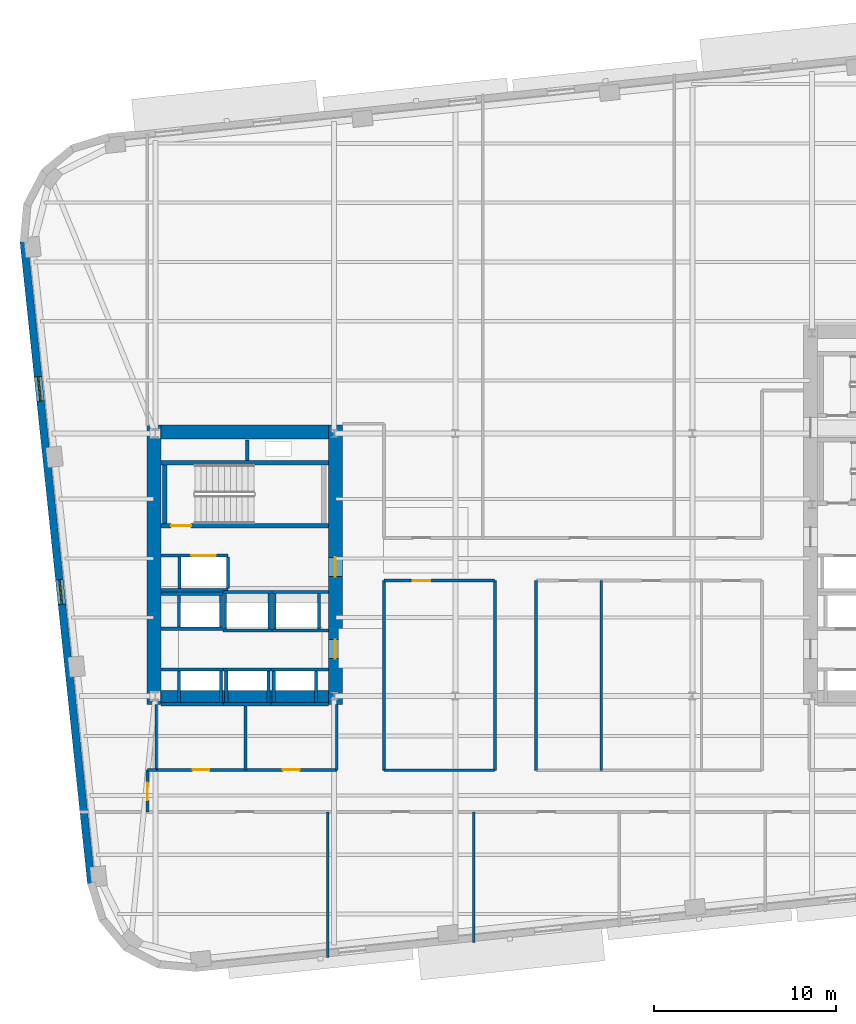
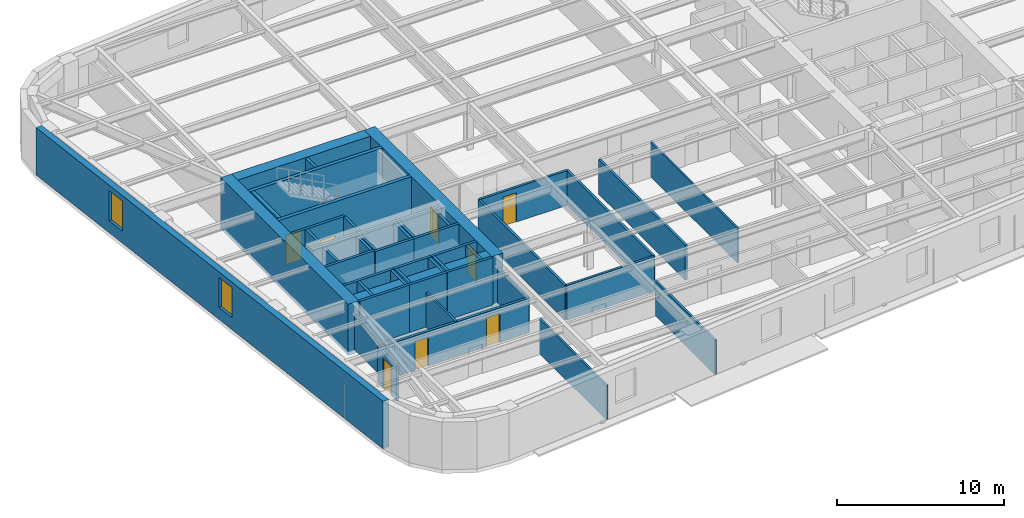
# One storey, part 4 of 11: 51 walls, 8 doors, 2 windows, 10 openings.
"""IFC4 building model written with IfcOpenShell, lengths in metres."""

from ifc_helpers import new_model, si_unit, direction, frame, frame_2d, origin, place, context, subcontext, project, spatial, rectangle, extrude, material, layer, layer_set, type_object, element, fill, save


model = new_model("IFC4")

# Units and contexts
model_context = context("Model", 3, precision=1e-05, world=origin(), true_north=direction((0.0, 1.0)))
body_context = subcontext(model_context, "Body", "Model", "MODEL_VIEW")
ifc_project = project(units=[si_unit("LENGTHUNIT", "METRE"), si_unit("AREAUNIT", "SQUARE_METRE"), si_unit("VOLUMEUNIT", "CUBIC_METRE"), si_unit("PLANEANGLEUNIT", "RADIAN"), si_unit("MASSUNIT", "GRAM", prefix="KILO")], contexts=[model_context])

# Site, building, storey
site_placement = place(None, origin())
site = spatial("IfcSite", under=ifc_project, at=site_placement, CompositionType="ELEMENT")
building_placement = place(site_placement, origin())
building = spatial("IfcBuilding", under=site, at=building_placement, Name="Kolvaren Arena Tower", CompositionType="ELEMENT")
storey_placement = place(building_placement, frame((0.0, 0.0, 103.449951171875)))
storey = spatial("IfcBuildingStorey", under=building, at=storey_placement, Name="L23", CompositionType="ELEMENT", Elevation=103.449951171875)

# Wall, opening, door
ifc_material_1 = material(Name="Gypsum board acoustic assembly", Category="gypsum")
ifc_layer_1 = layer(ifc_material_1, 0.159912109375)
ifc_layer_set_1 = layer_set([ifc_layer_1], Name="Gypsum board acoustic assembly")
wall_type_1 = type_object("IfcWallType", Name="CORR-160", PredefinedType="PARTITIONING", material=ifc_layer_set_1)
wall_1_placement = place(storey_placement, frame((27.10009765625, 25.780029296875, 0.0), z_axis=(0.0, 0.0, 1.0), x_axis=(1.0, 0.0, 0.0)))
wall_1 = element("IfcWall", 1, at=wall_1_placement, inside=storey, type_object=wall_type_1, Name="Interior Partition Wall (L23)", PredefinedType="PARTITIONING", context=body_context, shape_type="SweptSolid", body=[
    extrude(rectangle(XDim=6.059814453125, YDim=0.159912109375, at=frame_2d((3.02978515625, 0.0))), origin(), (0.0, 0.0, 1.0), 2.5400390625),
])
opening_1_placement = place(wall_1_placement, frame((1.574951171875, 0.0, 0.0)))
opening_1 = element("IfcOpeningElement", 2, at=opening_1_placement, cuts=wall_1, Name="Opening D05", PredefinedType="OPENING", context=body_context, shape_type="SweptSolid", body=[
    extrude(rectangle(XDim=0.949951171875, YDim=2.14990234375, at=frame_2d((0.47509765625, 1.074951171875))), frame((0.0, 0.08984375, 0.0), z_axis=(0.0, -1.0, 0.0), x_axis=(1.0, 0.0, 0.0)), (0.0, 0.0, 1.0), 0.179931640625),
])
ifc_material_2 = material(Name="Solid-core oak acoustic office door", Category="wood")
door_type_1 = type_object("IfcDoorType", Name="DOOR-OF-095", OperationType="NOTDEFINED", PredefinedType="DOOR", material=ifc_material_2)
door_1_placement = place(opening_1_placement, origin())
door_1 = element("IfcDoor", 3, at=door_1_placement, inside=storey, type_object=door_type_1, Name="Boardroom Door (L23)", OperationType="SINGLE_SWING_RIGHT", OverallHeight=2.14990234375, OverallWidth=0.949951171875, PredefinedType="DOOR", context=body_context, shape_type="SweptSolid", body=[
    extrude(rectangle(XDim=0.949951171875, YDim=2.14990234375, at=frame_2d((0.47509765625, 1.074951171875))), frame((0.0, 0.02490234375, 0.0), z_axis=(0.0, -1.0, 0.0), x_axis=(1.0, 0.0, 0.0)), (0.0, 0.0, 1.0), 0.050048828125),
])
fill(opening_1, door_1)

# Walls
wall_2_placement = place(storey_placement, frame((27.10009765625, 15.3798828125, 0.0), z_axis=(0.0, 0.0, 1.0), x_axis=(1.0, 0.0, 0.0)))
element("IfcWall", 4, at=wall_2_placement, inside=storey, type_object=wall_type_1, Name="Interior Partition Wall (L23)", PredefinedType="PARTITIONING", context=body_context, shape_type="SweptSolid", body=[
    extrude(rectangle(XDim=6.059814453125, YDim=0.159912109375, at=frame_2d((3.02978515625, 0.0))), origin(), (0.0, 0.0, 1.0), 2.5400390625),
])
for number, where, z_axis, x_axis, name in (
    (5, (33.179931640625, 15.3798828125, 0.0), (0.0, 0.0, 1.0), (0.0, 1.0, 0.0), "Interior Partition Wall (L23)"),
    (6, (35.419921875, 15.3798828125, 0.0), (0.0, 0.0, 1.0), (0.0, 1.0, 0.0), "Interior Partition Wall (L23)"),
    (7, (27.080078125, 15.3798828125, 0.0), (0.0, 0.0, 1.0), (0.0, 1.0, 0.0), "Interior Partition Wall (L23)"),
):
    element("IfcWall", number, at=place(storey_placement, frame(where, z_axis=z_axis, x_axis=x_axis)), inside=storey, type_object=wall_type_1, Name=name, PredefinedType="PARTITIONING", context=body_context, shape_type="SweptSolid", body=[
        extrude(rectangle(XDim=10.400146484375, YDim=0.159912109375, at=frame_2d((5.2001953125, 0.0))), origin(), (0.0, 0.0, 1.0), 2.5400390625),
    ])

# Wall, opening, door
wall_3_placement = place(storey_placement, frame((14.1201171875, 13.10009765625, 0.0), z_axis=(0.0, 0.0, 1.0), x_axis=(0.0, 1.0, 0.0)))
wall_3 = element("IfcWall", 8, at=wall_3_placement, inside=storey, type_object=wall_type_1, Name="Interior Partition Wall (L23)", PredefinedType="PARTITIONING", context=body_context, shape_type="SweptSolid", body=[
    extrude(rectangle(XDim=2.2998046875, YDim=0.159912109375, at=frame_2d((1.14990234375, 0.0))), origin(), (0.0, 0.0, 1.0), 2.5400390625),
])
opening_2_placement = place(wall_3_placement, frame((0.64990234375, 0.0, 0.0)))
opening_2 = element("IfcOpeningElement", 9, at=opening_2_placement, cuts=wall_3, Name="Opening D05", PredefinedType="OPENING", context=body_context, shape_type="SweptSolid", body=[
    extrude(rectangle(XDim=0.949951171875, YDim=2.14990234375, at=frame_2d((0.47509765625, 1.074951171875))), frame((0.0, 0.08984375, 0.0), z_axis=(0.0, -1.0, 0.0), x_axis=(1.0, 0.0, 0.0)), (0.0, 0.0, 1.0), 0.179931640625),
])
door_2_placement = place(opening_2_placement, origin())
door_2 = element("IfcDoor", 10, at=door_2_placement, inside=storey, type_object=door_type_1, Name="West Wing Office Door (L23)", OperationType="SINGLE_SWING_LEFT", OverallHeight=2.14990234375, OverallWidth=0.949951171875, PredefinedType="DOOR", context=body_context, shape_type="SweptSolid", body=[
    extrude(rectangle(XDim=0.949951171875, YDim=2.14990234375, at=frame_2d((0.47509765625, 1.074951171875))), frame((0.0, 0.02490234375, 0.0), z_axis=(0.0, -1.0, 0.0), x_axis=(1.0, 0.0, 0.0)), (0.0, 0.0, 1.0), 0.050048828125),
])
fill(opening_2, door_2)

# Walls
wall_4_placement = place(storey_placement, frame((14.1201171875, 15.39990234375, 0.0), z_axis=(0.0, 0.0, 1.0), x_axis=(1.0, 0.0, 0.0)))
element("IfcWall", 11, at=wall_4_placement, inside=storey, type_object=wall_type_1, Name="Interior Partition Wall (L23)", PredefinedType="PARTITIONING", context=body_context, shape_type="SweptSolid", body=[
    extrude(rectangle(XDim=0.5, YDim=0.159912109375, at=frame_2d((0.25, 0.0))), origin(), (0.0, 0.0, 1.0), 2.5400390625),
])
ifc_material_3 = material(Name="Concrete 70 MPa", Category="concrete")
ifc_layer_2 = layer(ifc_material_3, 0.75)
ifc_layer_set_2 = layer_set([ifc_layer_2], Name="Concrete 70 MPa")
wall_type_2 = type_object("IfcWallType", Name="CWALL-750", PredefinedType="SHEAR", material=ifc_layer_set_2)
wall_5_placement = place(storey_placement, frame((14.47509765625, 19.0, -0.27001953125), z_axis=(0.0, 0.0, 1.0), x_axis=(0.0, 1.0, 0.0)))
element("IfcWall", 12, at=wall_5_placement, inside=storey, type_object=wall_type_2, Name="Core Shear Wall WC-WEST (L23)", PredefinedType="SHEAR", context=body_context, shape_type="SweptSolid", body=[
    extrude(rectangle(XDim=15.300048828125, YDim=0.75, at=frame_2d((7.64990234375, 0.0))), origin(), (0.0, 0.0, 1.0), 3.75),
])

# Wall, openings, doors
wall_6_placement = place(storey_placement, frame((24.425048828125, 19.0, -0.27001953125), z_axis=(0.0, 0.0, 1.0), x_axis=(0.0, 1.0, 0.0)))
wall_6 = element("IfcWall", 13, at=wall_6_placement, inside=storey, type_object=wall_type_2, Name="Core Shear Wall WC-EAST (L23)", PredefinedType="SHEAR", context=body_context, shape_type="SweptSolid", body=[
    extrude(rectangle(XDim=15.300048828125, YDim=0.75, at=frame_2d((7.64990234375, 0.0))), origin(), (0.0, 0.0, 1.0), 3.75),
])
opening_3_placement = place(wall_6_placement, frame((2.5, 0.0, 0.27001953125)))
opening_3 = element("IfcOpeningElement", 14, at=opening_3_placement, cuts=wall_6, Name="Opening D04", PredefinedType="OPENING", context=body_context, shape_type="SweptSolid", body=[
    extrude(rectangle(XDim=1.050048828125, YDim=2.14990234375, at=frame_2d((0.52490234375, 1.074951171875))), frame((0.0, 0.385009765625, 0.0), z_axis=(0.0, -1.0, 0.0), x_axis=(1.0, 0.0, 0.0)), (0.0, 0.0, 1.0), 0.77001953125),
])
opening_4_placement = place(wall_6_placement, frame((7.0, 0.0, 0.27001953125)))
opening_4 = element("IfcOpeningElement", 15, at=opening_4_placement, cuts=wall_6, Name="Opening D04", PredefinedType="OPENING", context=body_context, shape_type="SweptSolid", body=[
    extrude(rectangle(XDim=1.050048828125, YDim=2.14990234375, at=frame_2d((0.52490234375, 1.074951171875))), frame((0.0, 0.385009765625, 0.0), z_axis=(0.0, -1.0, 0.0), x_axis=(1.0, 0.0, 0.0)), (0.0, 0.0, 1.0), 0.77001953125),
])
ifc_material_4 = material(Name="Fire-rated steel lobby door", Category="steel")
door_type_2 = type_object("IfcDoorType", Name="DOOR-FF-105", OperationType="NOTDEFINED", PredefinedType="DOOR", material=ifc_material_4)
door_3_placement = place(opening_3_placement, origin())
door_3 = element("IfcDoor", 16, at=door_3_placement, inside=storey, type_object=door_type_2, Name="West Lift Lobby Fire Door (L23)", OperationType="SINGLE_SWING_LEFT", OverallHeight=2.14990234375, OverallWidth=1.050048828125, PredefinedType="DOOR", context=body_context, shape_type="SweptSolid", body=[
    extrude(rectangle(XDim=1.050048828125, YDim=2.14990234375, at=frame_2d((0.52490234375, 1.074951171875))), frame((0.0, 0.02490234375, 0.0), z_axis=(0.0, -1.0, 0.0), x_axis=(1.0, 0.0, 0.0)), (0.0, 0.0, 1.0), 0.050048828125),
])
fill(opening_3, door_3)
door_4_placement = place(opening_4_placement, origin())
door_4 = element("IfcDoor", 17, at=door_4_placement, inside=storey, type_object=door_type_2, Name="West Firefighter Vestibule Door (L23)", OperationType="SINGLE_SWING_RIGHT", OverallHeight=2.14990234375, OverallWidth=1.050048828125, PredefinedType="DOOR", context=body_context, shape_type="SweptSolid", body=[
    extrude(rectangle(XDim=1.050048828125, YDim=2.14990234375, at=frame_2d((0.52490234375, 1.074951171875))), frame((0.0, 0.02490234375, 0.0), z_axis=(0.0, -1.0, 0.0), x_axis=(1.0, 0.0, 0.0)), (0.0, 0.0, 1.0), 0.050048828125),
])
fill(opening_4, door_4)

# Walls
for number, where, z_axis, x_axis, name in (
    (18, (14.85009765625, 19.375, -0.27001953125), (0.0, 0.0, 1.0), (1.0, 0.0, 0.0), "Core Shear Wall WC-SOUTH (L23)"),
    (19, (14.85009765625, 33.925048828125, -0.27001953125), (0.0, 0.0, 1.0), (1.0, 0.0, 0.0), "Core Shear Wall WC-NORTH (L23)"),
):
    element("IfcWall", number, at=place(storey_placement, frame(where, z_axis=z_axis, x_axis=x_axis)), inside=storey, type_object=wall_type_2, Name=name, PredefinedType="SHEAR", context=body_context, shape_type="SweptSolid", body=[
        extrude(rectangle(XDim=9.199951171875, YDim=0.75, at=frame_2d((4.60009765625, 0.0))), origin(), (0.0, 0.0, 1.0), 3.75),
    ])

# Wall, openings, windows
ifc_material_5 = material(Name="Precast concrete C50/60", Category="concrete")
ifc_layer_3 = layer(ifc_material_5, 0.419921875)
ifc_layer_set_3 = layer_set([ifc_layer_3], Name="Precast concrete C50/60")
wall_type_3 = type_object("IfcWallType", Name="EXT-PIER1", PredefinedType="SOLIDWALL", material=ifc_layer_set_3)
wall_7_placement = place(storey_placement, frame((11.039794921875, 9.16943359375, 0.0), z_axis=(0.0, 0.0, 1.0), x_axis=(-0.104532207177, 0.99452150186, 0.0)))
wall_7 = element("IfcWall", 20, at=wall_7_placement, inside=storey, type_object=wall_type_3, Name="Exterior Precast Masonry-Frame Wall (L23)", PredefinedType="SOLIDWALL", context=body_context, shape_type="SweptSolid", body=[
    extrude(rectangle(XDim=35.39990234375, YDim=0.419921875, at=frame_2d((17.699951171875, 0.0))), origin(), (0.0, 0.0, 1.0), 3.47998046875),
])
opening_5_placement = place(wall_7_placement, frame((15.39990234375, 0.0, 0.8798828125)))
opening_5 = element("IfcOpeningElement", 21, at=opening_5_placement, cuts=wall_7, Name="Opening W04", PredefinedType="OPENING", context=body_context, shape_type="SweptSolid", body=[
    extrude(rectangle(XDim=1.35009765625, YDim=2.199951171875, at=frame_2d((0.675048828125, 1.10009765625))), frame((0.0, 0.219970703125, 0.0), z_axis=(0.0, -1.0, 0.0), x_axis=(1.0, 0.0, 0.0)), (0.0, 0.0, 1.0), 0.43994140625),
])
opening_6_placement = place(wall_7_placement, frame((26.60009765625, 0.0, 0.8798828125)))
opening_6 = element("IfcOpeningElement", 22, at=opening_6_placement, cuts=wall_7, Name="Opening W04", PredefinedType="OPENING", context=body_context, shape_type="SweptSolid", body=[
    extrude(rectangle(XDim=1.35009765625, YDim=2.199951171875, at=frame_2d((0.675048828125, 1.10009765625))), frame((0.0, 0.219970703125, 0.0), z_axis=(0.0, -1.0, 0.0), x_axis=(1.0, 0.0, 0.0)), (0.0, 0.0, 1.0), 0.43994140625),
])
ifc_material_6 = material(Name="Triple-glazed curved-facet corner window", Category="glass")
window_type = type_object("IfcWindowType", Name="WIN-CRN-A", PartitioningType="SINGLE_PANEL", PredefinedType="WINDOW", material=ifc_material_6)
window_1_placement = place(opening_5_placement, origin())
window_1 = element("IfcWindow", 23, at=window_1_placement, inside=storey, type_object=window_type, Name="End-Wall Punched Window (L23)", OverallHeight=2.199951171875, OverallWidth=1.35009765625, PartitioningType="SINGLE_PANEL", PredefinedType="WINDOW", context=body_context, shape_type="SweptSolid", body=[
    extrude(rectangle(XDim=1.35009765625, YDim=2.199951171875, at=frame_2d((0.675048828125, 1.10009765625))), frame((0.0, 0.030029296875, 0.0), z_axis=(0.0, -1.0, 0.0), x_axis=(1.0, 0.0, 0.0)), (0.0, 0.0, 1.0), 0.06005859375),
])
fill(opening_5, window_1)
window_2_placement = place(opening_6_placement, origin())
window_2 = element("IfcWindow", 24, at=window_2_placement, inside=storey, type_object=window_type, Name="End-Wall Punched Window (L23)", OverallHeight=2.199951171875, OverallWidth=1.35009765625, PartitioningType="SINGLE_PANEL", PredefinedType="WINDOW", context=body_context, shape_type="SweptSolid", body=[
    extrude(rectangle(XDim=1.35009765625, YDim=2.199951171875, at=frame_2d((0.675048828125, 1.10009765625))), frame((0.0, 0.030029296875, 0.0), z_axis=(0.0, -1.0, 0.0), x_axis=(1.0, 0.0, 0.0)), (0.0, 0.0, 1.0), 0.06005859375),
])
fill(opening_6, window_2)

# Walls
ifc_material_7 = material(Name="Gypsum board partition assembly", Category="gypsum")
ifc_layer_4 = layer(ifc_material_7, 0.114990234375)
ifc_layer_set_4 = layer_set([ifc_layer_4], Name="Gypsum board partition assembly")
wall_type_4 = type_object("IfcWallType", Name="PART-115", PredefinedType="PARTITIONING", material=ifc_layer_set_4)
wall_8_placement = place(storey_placement, frame((39.0, 15.3798828125, 0.0), z_axis=(0.0, 0.0, 1.0), x_axis=(0.0, 1.0, 0.0)))
element("IfcWall", 25, at=wall_8_placement, inside=storey, type_object=wall_type_4, Name="Interior Partition Wall (L23)", PredefinedType="PARTITIONING", context=body_context, shape_type="SweptSolid", body=[
    extrude(rectangle(XDim=10.400146484375, YDim=0.114990234375, at=frame_2d((5.2001953125, 0.0))), origin(), (0.0, 0.0, 1.0), 2.5400390625),
])
ifc_layer_5 = layer(ifc_material_7, 0.135009765625)
ifc_layer_set_5 = layer_set([ifc_layer_5], Name="Gypsum board partition assembly")
wall_type_5 = type_object("IfcWallType", Name="PART-135", PredefinedType="PARTITIONING", material=ifc_layer_set_5)
wall_9_placement = place(storey_placement, frame((24.0, 5.101806640625, 0.0), z_axis=(0.0, 0.0, 1.0), x_axis=(0.0, 1.0, 0.0)))
element("IfcWall", 26, at=wall_9_placement, inside=storey, type_object=wall_type_5, Name="Interior Partition Wall (L23)", PredefinedType="PARTITIONING", context=body_context, shape_type="SweptSolid", body=[
    extrude(rectangle(XDim=7.998291015625, YDim=0.135009765625, at=frame_2d((3.9990234375, 0.0))), origin(), (0.0, 0.0, 1.0), 2.5400390625),
])
wall_10_placement = place(storey_placement, frame((32.0, 5.94287109375, 0.0), z_axis=(0.0, 0.0, 1.0), x_axis=(0.0, 1.0, 0.0)))
element("IfcWall", 27, at=wall_10_placement, inside=storey, type_object=wall_type_5, Name="Interior Partition Wall (L23)", PredefinedType="PARTITIONING", context=body_context, shape_type="SweptSolid", body=[
    extrude(rectangle(XDim=7.1572265625, YDim=0.135009765625, at=frame_2d((3.57861328125, 0.0))), origin(), (0.0, 0.0, 1.0), 2.5400390625),
])

# Wall, opening, door
ifc_material_8 = material(Name="Concrete 45 MPa", Category="concrete")
ifc_layer_6 = layer(ifc_material_8, 0.25)
ifc_layer_set_6 = layer_set([ifc_layer_6], Name="Concrete 45 MPa")
wall_type_6 = type_object("IfcWallType", Name="SHAFT-250", PredefinedType="SOLIDWALL", material=ifc_layer_set_6)
wall_11_placement = place(storey_placement, frame((24.050048828125, 28.780029296875, 0.0), z_axis=(0.0, 0.0, 1.0), x_axis=(-1.0, 0.0, 0.0)))
wall_11 = element("IfcWall", 28, at=wall_11_placement, inside=storey, type_object=wall_type_6, Name="Core Shaft Wall (L23)", PredefinedType="SOLIDWALL", context=body_context, shape_type="SweptSolid", body=[
    extrude(rectangle(XDim=9.199951171875, YDim=0.239990234375, at=frame_2d((4.60009765625, 0.0))), origin(), (0.0, 0.0, 1.0), 3.47998046875),
])
opening_7_placement = place(wall_11_placement, frame((7.530029296875, 0.0, 0.0)))
opening_7 = element("IfcOpeningElement", 29, at=opening_7_placement, cuts=wall_11, Name="Opening D03", PredefinedType="OPENING", context=body_context, shape_type="SweptSolid", body=[
    extrude(rectangle(XDim=1.10009765625, YDim=2.14990234375, at=frame_2d((0.550048828125, 1.074951171875))), frame((0.0, 0.1298828125, 0.0), z_axis=(0.0, -1.0, 0.0), x_axis=(1.0, 0.0, 0.0)), (0.0, 0.0, 1.0), 0.260009765625),
])
ifc_material_9 = material(Name="Fire-rated steel exit stair door", Category="steel")
door_type_3 = type_object("IfcDoorType", Name="DOOR-ST-110", OperationType="NOTDEFINED", PredefinedType="DOOR", material=ifc_material_9)
door_5_placement = place(opening_7_placement, origin())
door_5 = element("IfcDoor", 30, at=door_5_placement, inside=storey, type_object=door_type_3, Name="Stair ST-W1 Fire Door (L23)", OperationType="SINGLE_SWING_RIGHT", OverallHeight=2.14990234375, OverallWidth=1.10009765625, PredefinedType="DOOR", context=body_context, shape_type="SweptSolid", body=[
    extrude(rectangle(XDim=1.10009765625, YDim=2.14990234375, at=frame_2d((0.550048828125, 1.074951171875))), frame((0.0, 0.02490234375, 0.0), z_axis=(0.0, -1.0, 0.0), x_axis=(1.0, 0.0, 0.0)), (0.0, 0.0, 1.0), 0.050048828125),
])
fill(opening_7, door_5)

# Walls
wall_12_placement = place(storey_placement, frame((14.85009765625, 32.25, 0.0), z_axis=(0.0, 0.0, 1.0), x_axis=(1.0, 0.0, 0.0)))
element("IfcWall", 31, at=wall_12_placement, inside=storey, type_object=wall_type_6, Name="Core Shaft Wall (L23)", PredefinedType="SOLIDWALL", context=body_context, shape_type="SweptSolid", body=[
    extrude(rectangle(XDim=9.199951171875, YDim=0.239990234375, at=frame_2d((4.60009765625, 0.0))), origin(), (0.0, 0.0, 1.0), 3.47998046875),
])
wall_13_placement = place(storey_placement, frame((15.06005859375, 28.89990234375, 0.0), z_axis=(0.0, 0.0, 1.0), x_axis=(0.0, 1.0, 0.0)))
element("IfcWall", 32, at=wall_13_placement, inside=storey, type_object=wall_type_6, Name="Core Shaft Wall (L23)", PredefinedType="SOLIDWALL", context=body_context, shape_type="SweptSolid", body=[
    extrude(rectangle(XDim=3.22998046875, YDim=0.239990234375, at=frame_2d((1.614990234375, 0.0))), origin(), (0.0, 0.0, 1.0), 3.47998046875),
])
wall_14_placement = place(storey_placement, frame((19.60009765625, 32.3701171875, 0.0), z_axis=(0.0, 0.0, 1.0), x_axis=(0.0, 1.0, 0.0)))
element("IfcWall", 33, at=wall_14_placement, inside=storey, type_object=wall_type_6, Name="Core Shaft Wall (L23)", PredefinedType="SOLIDWALL", context=body_context, shape_type="SweptSolid", body=[
    extrude(rectangle(XDim=1.1298828125, YDim=0.199951171875, at=frame_2d((0.56494140625, 0.0))), origin(), (0.0, 0.0, 1.0), 3.47998046875),
])
for number, where, z_axis, x_axis, name in (
    (34, (14.85009765625, 20.905029296875, 0.0), (0.0, 0.0, 1.0), (1.0, 0.0, 0.0), "Core Shaft Wall (L23)"),
    (35, (14.85009765625, 18.9951171875, 0.0), (0.0, 0.0, 1.0), (1.0, 0.0, 0.0), "Core Shaft Wall (L23)"),
):
    element("IfcWall", number, at=place(storey_placement, frame(where, z_axis=z_axis, x_axis=x_axis)), inside=storey, type_object=wall_type_6, Name=name, PredefinedType="SOLIDWALL", context=body_context, shape_type="SweptSolid", body=[
        extrude(rectangle(XDim=3.449951171875, YDim=0.179931640625, at=frame_2d((1.72509765625, 0.0))), origin(), (0.0, 0.0, 1.0), 3.47998046875),
    ])
for number, where, z_axis, x_axis, name in (
    (36, (15.844970703125, 19.0849609375, 0.0), (0.0, 0.0, 1.0), (0.0, 1.0, 0.0), "Core Shaft Wall (L23)"),
    (37, (18.155029296875, 19.0849609375, 0.0), (0.0, 0.0, 1.0), (0.0, 1.0, 0.0), "Core Shaft Wall (L23)"),
):
    element("IfcWall", number, at=place(storey_placement, frame(where, z_axis=z_axis, x_axis=x_axis)), inside=storey, type_object=wall_type_6, Name=name, PredefinedType="SOLIDWALL", context=body_context, shape_type="SweptSolid", body=[
        extrude(rectangle(XDim=1.72998046875, YDim=0.179931640625, at=frame_2d((0.864990234375, 0.0))), origin(), (0.0, 0.0, 1.0), 3.47998046875),
    ])
for number, where, z_axis, x_axis, name in (
    (38, (18.300048828125, 20.905029296875, 0.0), (0.0, 0.0, 1.0), (1.0, 0.0, 0.0), "Core Shaft Wall (L23)"),
    (39, (18.300048828125, 18.9951171875, 0.0), (0.0, 0.0, 1.0), (1.0, 0.0, 0.0), "Core Shaft Wall (L23)"),
):
    element("IfcWall", number, at=place(storey_placement, frame(where, z_axis=z_axis, x_axis=x_axis)), inside=storey, type_object=wall_type_6, Name=name, PredefinedType="SOLIDWALL", context=body_context, shape_type="SweptSolid", body=[
        extrude(rectangle(XDim=2.599853515625, YDim=0.179931640625, at=frame_2d((1.2998046875, 0.0))), origin(), (0.0, 0.0, 1.0), 3.47998046875),
    ])
for number, where, z_axis, x_axis, name in (
    (40, (18.445068359375, 19.0849609375, 0.0), (0.0, 0.0, 1.0), (0.0, 1.0, 0.0), "Core Shaft Wall (L23)"),
    (41, (20.7548828125, 19.0849609375, 0.0), (0.0, 0.0, 1.0), (0.0, 1.0, 0.0), "Core Shaft Wall (L23)"),
):
    element("IfcWall", number, at=place(storey_placement, frame(where, z_axis=z_axis, x_axis=x_axis)), inside=storey, type_object=wall_type_6, Name=name, PredefinedType="SOLIDWALL", context=body_context, shape_type="SweptSolid", body=[
        extrude(rectangle(XDim=1.72998046875, YDim=0.179931640625, at=frame_2d((0.864990234375, 0.0))), origin(), (0.0, 0.0, 1.0), 3.47998046875),
    ])
for number, where, z_axis, x_axis, name in (
    (42, (20.89990234375, 20.905029296875, 0.0), (0.0, 0.0, 1.0), (1.0, 0.0, 0.0), "Core Shaft Wall (L23)"),
    (43, (20.89990234375, 18.9951171875, 0.0), (0.0, 0.0, 1.0), (1.0, 0.0, 0.0), "Core Shaft Wall (L23)"),
):
    element("IfcWall", number, at=place(storey_placement, frame(where, z_axis=z_axis, x_axis=x_axis)), inside=storey, type_object=wall_type_6, Name=name, PredefinedType="SOLIDWALL", context=body_context, shape_type="SweptSolid", body=[
        extrude(rectangle(XDim=3.150146484375, YDim=0.179931640625, at=frame_2d((1.5751953125, 0.0))), origin(), (0.0, 0.0, 1.0), 3.47998046875),
    ])
for number, where, z_axis, x_axis, name in (
    (44, (21.044921875, 19.0849609375, 0.0), (0.0, 0.0, 1.0), (0.0, 1.0, 0.0), "Core Shaft Wall (L23)"),
    (45, (23.35498046875, 19.0849609375, 0.0), (0.0, 0.0, 1.0), (0.0, 1.0, 0.0), "Core Shaft Wall (L23)"),
):
    element("IfcWall", number, at=place(storey_placement, frame(where, z_axis=z_axis, x_axis=x_axis)), inside=storey, type_object=wall_type_6, Name=name, PredefinedType="SOLIDWALL", context=body_context, shape_type="SweptSolid", body=[
        extrude(rectangle(XDim=1.72998046875, YDim=0.179931640625, at=frame_2d((0.864990234375, 0.0))), origin(), (0.0, 0.0, 1.0), 3.47998046875),
    ])
for number, where, z_axis, x_axis, name in (
    (46, (14.85009765625, 25.054931640625, 0.0), (0.0, 0.0, 1.0), (1.0, 0.0, 0.0), "Core Shaft Wall (L23)"),
    (47, (14.85009765625, 23.14501953125, 0.0), (0.0, 0.0, 1.0), (1.0, 0.0, 0.0), "Core Shaft Wall (L23)"),
):
    element("IfcWall", number, at=place(storey_placement, frame(where, z_axis=z_axis, x_axis=x_axis)), inside=storey, type_object=wall_type_6, Name=name, PredefinedType="SOLIDWALL", context=body_context, shape_type="SweptSolid", body=[
        extrude(rectangle(XDim=3.412353515625, YDim=0.179931640625, at=frame_2d((1.7060546875, 0.0))), origin(), (0.0, 0.0, 1.0), 3.47998046875),
    ])
for number, where, z_axis, x_axis, name in (
    (48, (15.844970703125, 23.235107421875, 0.0), (0.0, 0.0, 1.0), (0.0, 1.0, 0.0), "Core Shaft Wall (L23)"),
    (49, (18.155029296875, 23.235107421875, 0.0), (0.0, 0.0, 1.0), (0.0, 1.0, 0.0), "Core Shaft Wall (L23)"),
):
    element("IfcWall", number, at=place(storey_placement, frame(where, z_axis=z_axis, x_axis=x_axis)), inside=storey, type_object=wall_type_6, Name=name, PredefinedType="SOLIDWALL", context=body_context, shape_type="SweptSolid", body=[
        extrude(rectangle(XDim=1.72998046875, YDim=0.179931640625, at=frame_2d((0.864990234375, 0.0))), origin(), (0.0, 0.0, 1.0), 3.47998046875),
    ])
for number, where, z_axis, x_axis, name in (
    (50, (18.262451171875, 25.155029296875, 0.0), (0.0, 0.0, 1.0), (1.0, 0.0, 0.0), "Core Shaft Wall (L23)"),
    (51, (18.262451171875, 23.044921875, 0.0), (0.0, 0.0, 1.0), (1.0, 0.0, 0.0), "Core Shaft Wall (L23)"),
):
    element("IfcWall", number, at=place(storey_placement, frame(where, z_axis=z_axis, x_axis=x_axis)), inside=storey, type_object=wall_type_6, Name=name, PredefinedType="SOLIDWALL", context=body_context, shape_type="SweptSolid", body=[
        extrude(rectangle(XDim=2.6875, YDim=0.179931640625, at=frame_2d((1.34375, 0.0))), origin(), (0.0, 0.0, 1.0), 3.47998046875),
    ])
for number, where, z_axis, x_axis, name in (
    (52, (18.3701171875, 23.135009765625, 0.0), (0.0, 0.0, 1.0), (0.0, 1.0, 0.0), "Core Shaft Wall (L23)"),
    (53, (20.830078125, 23.135009765625, 0.0), (0.0, 0.0, 1.0), (0.0, 1.0, 0.0), "Core Shaft Wall (L23)"),
):
    element("IfcWall", number, at=place(storey_placement, frame(where, z_axis=z_axis, x_axis=x_axis)), inside=storey, type_object=wall_type_6, Name=name, PredefinedType="SOLIDWALL", context=body_context, shape_type="SweptSolid", body=[
        extrude(rectangle(XDim=1.929931640625, YDim=0.179931640625, at=frame_2d((0.96484375, 0.0))), origin(), (0.0, 0.0, 1.0), 3.47998046875),
    ])
for number, where, z_axis, x_axis, name in (
    (54, (20.949951171875, 25.155029296875, 0.0), (0.0, 0.0, 1.0), (1.0, 0.0, 0.0), "Core Shaft Wall (L23)"),
    (55, (20.949951171875, 23.044921875, 0.0), (0.0, 0.0, 1.0), (1.0, 0.0, 0.0), "Core Shaft Wall (L23)"),
):
    element("IfcWall", number, at=place(storey_placement, frame(where, z_axis=z_axis, x_axis=x_axis)), inside=storey, type_object=wall_type_6, Name=name, PredefinedType="SOLIDWALL", context=body_context, shape_type="SweptSolid", body=[
        extrude(rectangle(XDim=3.10009765625, YDim=0.179931640625, at=frame_2d((1.550048828125, 0.0))), origin(), (0.0, 0.0, 1.0), 3.47998046875),
    ])
for number, where, z_axis, x_axis, name in (
    (56, (21.070068359375, 23.135009765625, 0.0), (0.0, 0.0, 1.0), (0.0, 1.0, 0.0), "Core Shaft Wall (L23)"),
    (57, (23.530029296875, 23.135009765625, 0.0), (0.0, 0.0, 1.0), (0.0, 1.0, 0.0), "Core Shaft Wall (L23)"),
):
    element("IfcWall", number, at=place(storey_placement, frame(where, z_axis=z_axis, x_axis=x_axis)), inside=storey, type_object=wall_type_6, Name=name, PredefinedType="SOLIDWALL", context=body_context, shape_type="SweptSolid", body=[
        extrude(rectangle(XDim=1.929931640625, YDim=0.179931640625, at=frame_2d((0.96484375, 0.0))), origin(), (0.0, 0.0, 1.0), 3.47998046875),
    ])

# Wall, opening, door
wall_15_placement = place(storey_placement, frame((14.85009765625, 27.155029296875, 0.0), z_axis=(0.0, 0.0, 1.0), x_axis=(1.0, 0.0, 0.0)))
wall_15 = element("IfcWall", 58, at=wall_15_placement, inside=storey, type_object=wall_type_6, Name="Core Shaft Wall (L23)", PredefinedType="SOLIDWALL", context=body_context, shape_type="SweptSolid", body=[
    extrude(rectangle(XDim=3.679931640625, YDim=0.179931640625, at=frame_2d((1.83984375, 0.0))), origin(), (0.0, 0.0, 1.0), 3.47998046875),
])
opening_8_placement = place(wall_15_placement, frame((1.675048828125, 0.0, 0.0)))
opening_8 = element("IfcOpeningElement", 59, at=opening_8_placement, cuts=wall_15, Name="Opening LD2", PredefinedType="OPENING", context=body_context, shape_type="SweptSolid", body=[
    extrude(rectangle(XDim=1.35009765625, YDim=2.300048828125, at=frame_2d((0.675048828125, 1.14990234375))), frame((0.0, 0.099853515625, 0.0), z_axis=(0.0, -1.0, 0.0), x_axis=(1.0, 0.0, 0.0)), (0.0, 0.0, 1.0), 0.199951171875),
])
ifc_material_10 = material(Name="Stainless steel firefighter lift landing door", Category="steel")
door_type_4 = type_object("IfcDoorType", Name="DOOR-LD-135", OperationType="DOUBLE_DOOR_SLIDING", PredefinedType="DOOR", material=ifc_material_10)
door_6_placement = place(opening_8_placement, origin())
door_6 = element("IfcDoor", 60, at=door_6_placement, inside=storey, type_object=door_type_4, Name="Firefighter Lift FF-W1 Landing Door (L23)", OperationType="DOUBLE_DOOR_SLIDING", OverallHeight=2.300048828125, OverallWidth=1.35009765625, PredefinedType="DOOR", context=body_context, shape_type="SweptSolid", body=[
    extrude(rectangle(XDim=1.35009765625, YDim=2.300048828125, at=frame_2d((0.675048828125, 1.14990234375))), frame((0.0, 0.02490234375, 0.0), z_axis=(0.0, -1.0, 0.0), x_axis=(1.0, 0.0, 0.0)), (0.0, 0.0, 1.0), 0.050048828125),
])
fill(opening_8, door_6)

# Walls
wall_16_placement = place(storey_placement, frame((14.85009765625, 25.2451171875, 0.0), z_axis=(0.0, 0.0, 1.0), x_axis=(1.0, 0.0, 0.0)))
element("IfcWall", 61, at=wall_16_placement, inside=storey, type_object=wall_type_6, Name="Core Shaft Wall (L23)", PredefinedType="SOLIDWALL", context=body_context, shape_type="SweptSolid", body=[
    extrude(rectangle(XDim=3.679931640625, YDim=0.179931640625, at=frame_2d((1.83984375, 0.0))), origin(), (0.0, 0.0, 1.0), 3.47998046875),
])
for number, where, z_axis, x_axis, name in (
    (62, (15.8701171875, 25.3349609375, 0.0), (0.0, 0.0, 1.0), (0.0, 1.0, 0.0), "Core Shaft Wall (L23)"),
    (63, (18.530029296875, 25.3349609375, 0.0), (0.0, 0.0, 1.0), (0.0, 1.0, 0.0), "Core Shaft Wall (L23)"),
):
    element("IfcWall", number, at=place(storey_placement, frame(where, z_axis=z_axis, x_axis=x_axis)), inside=storey, type_object=wall_type_6, Name=name, PredefinedType="SOLIDWALL", context=body_context, shape_type="SweptSolid", body=[
        extrude(rectangle(XDim=1.72998046875, YDim=0.179931640625, at=frame_2d((0.864990234375, 0.0))), origin(), (0.0, 0.0, 1.0), 3.47998046875),
    ])
ifc_material_11 = material(Name="Moisture-resistant gypsum assembly", Category="gypsum")
ifc_layer_7 = layer(ifc_material_11, 0.14990234375)
ifc_layer_set_7 = layer_set([ifc_layer_7], Name="Moisture-resistant gypsum assembly")
wall_type_7 = type_object("IfcWallType", Name="WETW-150", PredefinedType="PARTITIONING", material=ifc_layer_set_7)
wall_17_placement = place(storey_placement, frame((19.5, 15.39990234375, 0.0), z_axis=(0.0, 0.0, 1.0), x_axis=(0.0, 1.0, 0.0)))
element("IfcWall", 64, at=wall_17_placement, inside=storey, type_object=wall_type_7, Name="Interior Partition Wall (L23)", PredefinedType="PARTITIONING", context=body_context, shape_type="SweptSolid", body=[
    extrude(rectangle(XDim=3.580078125, YDim=0.14990234375, at=frame_2d((1.7900390625, 0.0))), origin(), (0.0, 0.0, 1.0), 2.5400390625),
])

# Wall, openings, doors
wall_18_placement = place(storey_placement, frame((14.60009765625, 15.39990234375, 0.0), z_axis=(0.0, 0.0, 1.0), x_axis=(1.0, 0.0, 0.0)))
wall_18 = element("IfcWall", 65, at=wall_18_placement, inside=storey, type_object=wall_type_7, Name="Interior Partition Wall (L23)", PredefinedType="PARTITIONING", context=body_context, shape_type="SweptSolid", body=[
    extrude(rectangle(XDim=9.89990234375, YDim=0.179931640625, at=frame_2d((4.949951171875, 0.0))), origin(), (0.0, 0.0, 1.0), 2.5400390625),
])
opening_9_placement = place(wall_18_placement, frame((1.989990234375, 0.0, 0.0)))
opening_9 = element("IfcOpeningElement", 66, at=opening_9_placement, cuts=wall_18, Name="Opening D07", PredefinedType="OPENING", context=body_context, shape_type="SweptSolid", body=[
    extrude(rectangle(XDim=0.919921875, YDim=2.10009765625, at=frame_2d((0.4599609375, 1.050048828125))), frame((0.0, 0.099853515625, 0.0), z_axis=(0.0, -1.0, 0.0), x_axis=(1.0, 0.0, 0.0)), (0.0, 0.0, 1.0), 0.199951171875),
])
opening_10_placement = place(wall_18_placement, frame((6.93994140625, 0.0, 0.0)))
opening_10 = element("IfcOpeningElement", 67, at=opening_10_placement, cuts=wall_18, Name="Opening D07", PredefinedType="OPENING", context=body_context, shape_type="SweptSolid", body=[
    extrude(rectangle(XDim=0.919921875, YDim=2.10009765625, at=frame_2d((0.4599609375, 1.050048828125))), frame((0.0, 0.099853515625, 0.0), z_axis=(0.0, -1.0, 0.0), x_axis=(1.0, 0.0, 0.0)), (0.0, 0.0, 1.0), 0.199951171875),
])
ifc_material_12 = material(Name="Laminate universal washroom door", Category="wood")
door_type_5 = type_object("IfcDoorType", Name="DOOR-WC-092", OperationType="NOTDEFINED", PredefinedType="DOOR", material=ifc_material_12)
door_7_placement = place(opening_9_placement, origin())
door_7 = element("IfcDoor", 68, at=door_7_placement, inside=storey, type_object=door_type_5, Name="Universal Barrier-Free Washroom Door (L23)", OperationType="SINGLE_SWING_LEFT", OverallHeight=2.10009765625, OverallWidth=0.919921875, PredefinedType="DOOR", context=body_context, shape_type="SweptSolid", body=[
    extrude(rectangle(XDim=0.919921875, YDim=2.10009765625, at=frame_2d((0.4599609375, 1.050048828125))), frame((0.0, 0.02490234375, 0.0), z_axis=(0.0, -1.0, 0.0), x_axis=(1.0, 0.0, 0.0)), (0.0, 0.0, 1.0), 0.050048828125),
])
fill(opening_9, door_7)
door_8_placement = place(opening_10_placement, origin())
door_8 = element("IfcDoor", 69, at=door_8_placement, inside=storey, type_object=door_type_5, Name="Gender-Neutral Washroom Door (L23)", OperationType="SINGLE_SWING_RIGHT", OverallHeight=2.10009765625, OverallWidth=0.919921875, PredefinedType="DOOR", context=body_context, shape_type="SweptSolid", body=[
    extrude(rectangle(XDim=0.919921875, YDim=2.10009765625, at=frame_2d((0.4599609375, 1.050048828125))), frame((0.0, 0.02490234375, 0.0), z_axis=(0.0, -1.0, 0.0), x_axis=(1.0, 0.0, 0.0)), (0.0, 0.0, 1.0), 0.050048828125),
])
fill(opening_10, door_8)

# Walls
for number, where, z_axis, x_axis, name in (
    (70, (14.60009765625, 15.39990234375, 0.0), (0.0, 0.0, 1.0), (0.0, 1.0, 0.0), "Interior Partition Wall (L23)"),
    (71, (24.5, 15.39990234375, 0.0), (0.0, 0.0, 1.0), (0.0, 1.0, 0.0), "Interior Partition Wall (L23)"),
):
    element("IfcWall", number, at=place(storey_placement, frame(where, z_axis=z_axis, x_axis=x_axis)), inside=storey, type_object=wall_type_7, Name=name, PredefinedType="PARTITIONING", context=body_context, shape_type="SweptSolid", body=[
        extrude(rectangle(XDim=3.580078125, YDim=0.14990234375, at=frame_2d((1.7900390625, 0.0))), origin(), (0.0, 0.0, 1.0), 2.5400390625),
    ])

save(model, "model.ifc")
